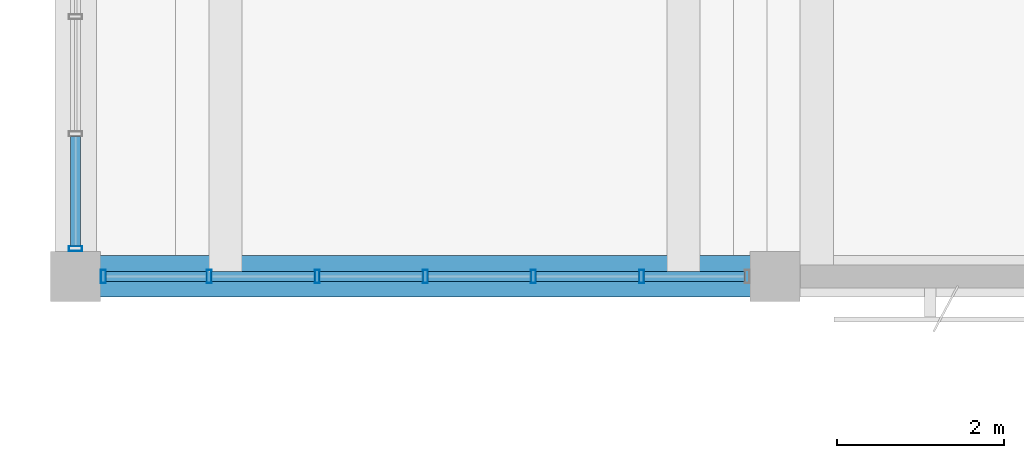
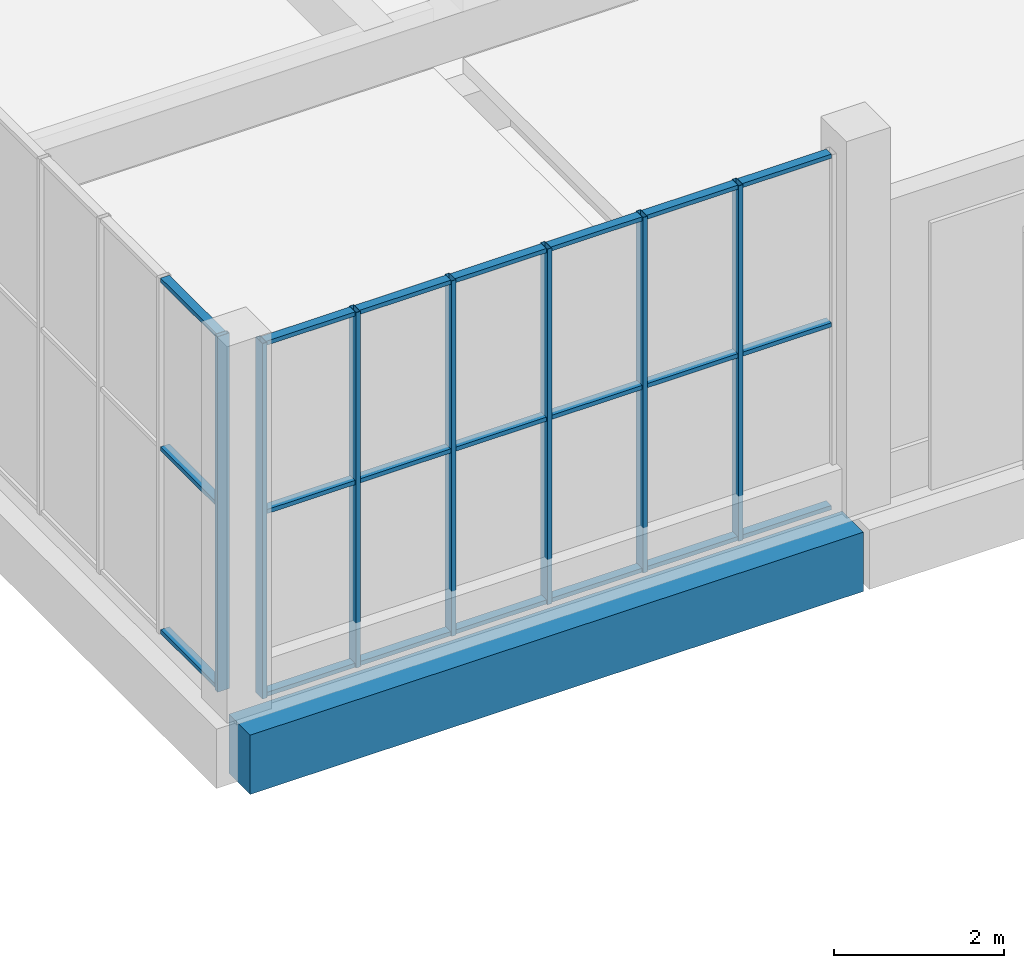
# One storey, part 18 of 132: 28 members, 1 beam, 2 elements without a shape of their own.
"""IFC4 building model written with IfcOpenShell, lengths in metres."""

from ifc_helpers import new_model, si_unit, direction, frame, origin, origin_2d, place, context, subcontext, project, spatial, rectangle, hollow_rectangle, extrude, material, material_profile, profile_set, type_object, element, aggregate, save


model = new_model("IFC4")

# Units and contexts
model_context = context("Model", 3, precision=1e-05, world=origin(), true_north=direction((0.0, 1.0)))
body_context = subcontext(model_context, "Body", "Model", "MODEL_VIEW")
ifc_project = project(units=[si_unit("LENGTHUNIT", "METRE"), si_unit("AREAUNIT", "SQUARE_METRE"), si_unit("VOLUMEUNIT", "CUBIC_METRE"), si_unit("PLANEANGLEUNIT", "RADIAN"), si_unit("MASSUNIT", "GRAM", prefix="KILO")], contexts=[model_context])

# Site, building, storey
site_placement = place(None, origin())
site = spatial("IfcSite", under=ifc_project, at=site_placement, CompositionType="ELEMENT")
building_placement = place(site_placement, origin())
building = spatial("IfcBuilding", under=site, at=building_placement, Name="Khurvash Pelagic Aquarium", CompositionType="ELEMENT")
storey_placement = place(building_placement, frame((0.0, 0.0, 5.39990234375)))
storey = spatial("IfcBuildingStorey", under=building, at=storey_placement, Name="L01", CompositionType="ELEMENT", Elevation=5.39990234375)

# Curtain wall, member
ifc_material_1 = material(Name="Anodised aluminium and low-E laminated glass", Category="aluminium")
curtain_wall_type_1 = type_object("IfcCurtainWallType", Name="CW-06", PredefinedType="USERDEFINED", material=ifc_material_1)
curtain_wall_1_placement = place(storey_placement, origin())
curtain_wall_1 = element("IfcCurtainWall", 1, at=curtain_wall_1_placement, inside=storey, type_object=curtain_wall_type_1, Name="L01 Facade Unitised Curtain Wall CW-06 0126", ObjectType="UNITISED CURTAIN WALL", PredefinedType="USERDEFINED")
ifc_material_2 = material(Name="Extruded aluminium AW-6063-T6", Category="aluminium")
ifc_material_profile_1 = material_profile(ifc_material_2, hollow_rectangle(XDim=0.06005859375, YDim=0.159912109375, WallThickness=0.00390625, at=origin_2d()), Name="CWM60X160X4")
ifc_profile_set_1 = profile_set([ifc_material_profile_1], Name="Extruded aluminium AW-6063-T6")
member_type_1 = type_object("IfcMemberType", Name="CM-02", PredefinedType="MULLION", material=ifc_profile_set_1)
member_1_placement = place(storey_placement, frame((0.0, 57.235107421875, 0.0), z_axis=(0.0, 0.0, 1.0), x_axis=(0.0, -1.0, 0.0)))
member_1 = element("IfcMember", 2, at=member_1_placement, type_object=member_type_1, Name="CW-06 mullion 7", PredefinedType="MULLION", context=body_context, shape_type="SweptSolid", body=[
    extrude(hollow_rectangle(XDim=0.06005859375, YDim=0.159912109375, WallThickness=0.00390625, at=origin_2d()), origin(), (0.0, 0.0, 1.0), 5.10009765625),
])

# Curtain wall, members
curtain_wall_type_2 = type_object("IfcCurtainWallType", Name="CW-05", PredefinedType="USERDEFINED", material=ifc_material_1)
curtain_wall_2_placement = place(storey_placement, origin())
curtain_wall_2 = element("IfcCurtainWall", 3, at=curtain_wall_2_placement, inside=storey, type_object=curtain_wall_type_2, Name="L01 Facade Unitised Curtain Wall CW-05 0127", ObjectType="UNITISED CURTAIN WALL", PredefinedType="USERDEFINED")
member_2_placement = place(storey_placement, frame((0.3349609375, 56.89990234375, 0.0), z_axis=(0.0, 0.0, 1.0), x_axis=(1.0, 0.0, 0.0)))
member_2 = element("IfcMember", 4, at=member_2_placement, type_object=member_type_1, Name="CW-05 mullion 1", PredefinedType="MULLION", context=body_context, shape_type="SweptSolid", body=[
    extrude(hollow_rectangle(XDim=0.06005859375, YDim=0.159912109375, WallThickness=0.00390625, at=origin_2d()), origin(), (0.0, 0.0, 1.0), 5.10009765625),
])
member_3_placement = place(storey_placement, frame((1.603271484375, 56.89990234375, 0.0), z_axis=(0.0, 0.0, 1.0), x_axis=(1.0, 0.0, 0.0)))
member_3 = element("IfcMember", 5, at=member_3_placement, type_object=member_type_1, Name="CW-05 mullion 2", PredefinedType="MULLION", context=body_context, shape_type="SweptSolid", body=[
    extrude(hollow_rectangle(XDim=0.06005859375, YDim=0.159912109375, WallThickness=0.00390625, at=origin_2d()), origin(), (0.0, 0.0, 1.0), 5.10009765625),
])
member_4_placement = place(storey_placement, frame((2.901611328125, 56.89990234375, 0.0), z_axis=(0.0, 0.0, 1.0), x_axis=(1.0, 0.0, 0.0)))
member_4 = element("IfcMember", 6, at=member_4_placement, type_object=member_type_1, Name="CW-05 mullion 3", PredefinedType="MULLION", context=body_context, shape_type="SweptSolid", body=[
    extrude(hollow_rectangle(XDim=0.06005859375, YDim=0.159912109375, WallThickness=0.00390625, at=origin_2d()), origin(), (0.0, 0.0, 1.0), 5.10009765625),
])
member_5_placement = place(storey_placement, frame((4.199951171875, 56.89990234375, 0.0), z_axis=(0.0, 0.0, 1.0), x_axis=(1.0, 0.0, 0.0)))
member_5 = element("IfcMember", 7, at=member_5_placement, type_object=member_type_1, Name="CW-05 mullion 4", PredefinedType="MULLION", context=body_context, shape_type="SweptSolid", body=[
    extrude(hollow_rectangle(XDim=0.06005859375, YDim=0.159912109375, WallThickness=0.00390625, at=origin_2d()), origin(), (0.0, 0.0, 1.0), 5.10009765625),
])
member_6_placement = place(storey_placement, frame((5.498291015625, 56.89990234375, 0.0), z_axis=(0.0, 0.0, 1.0), x_axis=(1.0, 0.0, 0.0)))
member_6 = element("IfcMember", 8, at=member_6_placement, type_object=member_type_1, Name="CW-05 mullion 5", PredefinedType="MULLION", context=body_context, shape_type="SweptSolid", body=[
    extrude(hollow_rectangle(XDim=0.06005859375, YDim=0.159912109375, WallThickness=0.00390625, at=origin_2d()), origin(), (0.0, 0.0, 1.0), 5.10009765625),
])
member_7_placement = place(storey_placement, frame((6.796630859375, 56.89990234375, 0.0), z_axis=(0.0, 0.0, 1.0), x_axis=(1.0, 0.0, 0.0)))
member_7 = element("IfcMember", 9, at=member_7_placement, type_object=member_type_1, Name="CW-05 mullion 6", PredefinedType="MULLION", context=body_context, shape_type="SweptSolid", body=[
    extrude(hollow_rectangle(XDim=0.06005859375, YDim=0.159912109375, WallThickness=0.00390625, at=origin_2d()), origin(), (0.0, 0.0, 1.0), 5.10009765625),
])

# Member
ifc_material_profile_2 = material_profile(ifc_material_2, hollow_rectangle(XDim=0.1201171875, YDim=0.06005859375, WallThickness=0.00390625, at=origin_2d()), Name="CWT120X60X4")
ifc_profile_set_2 = profile_set([ifc_material_profile_2], Name="Extruded aluminium AW-6063-T6")
member_type_2 = type_object("IfcMemberType", Name="CT-02", PredefinedType="USERDEFINED", material=ifc_profile_set_2)
member_8_placement = place(storey_placement, frame((0.0, 58.581787109375, 0.030029296875), z_axis=(0.0, -1.0, 0.0), x_axis=(1.0, 0.0, 0.0)))
member_8 = element("IfcMember", 10, at=member_8_placement, type_object=member_type_2, Name="CW-06 transom 6.1", ObjectType="TRANSOM", PredefinedType="USERDEFINED", context=body_context, shape_type="SweptSolid", body=[
    extrude(hollow_rectangle(XDim=0.1201171875, YDim=0.06005859375, WallThickness=0.00390625, at=origin_2d()), origin(), (0.0, 0.0, 1.0), 1.31689453125),
])

member_9_placement = place(storey_placement, frame((0.0, 58.581787109375, 2.652099609375), z_axis=(0.0, -1.0, 0.0), x_axis=(1.0, 0.0, 0.0)))
member_9 = element("IfcMember", 11, at=member_9_placement, type_object=member_type_2, Name="CW-06 transom 6.2", ObjectType="TRANSOM", PredefinedType="USERDEFINED", context=body_context, shape_type="SweptSolid", body=[
    extrude(hollow_rectangle(XDim=0.1201171875, YDim=0.06005859375, WallThickness=0.00390625, at=origin_2d()), origin(), (0.0, 0.0, 1.0), 1.31689453125),
])

member_10_placement = place(storey_placement, frame((0.0, 58.581787109375, 5.070068359375), z_axis=(0.0, -1.0, 0.0), x_axis=(1.0, 0.0, 0.0)))
member_10 = element("IfcMember", 12, at=member_10_placement, type_object=member_type_2, Name="CW-06 transom 6.3", ObjectType="TRANSOM", PredefinedType="USERDEFINED", context=body_context, shape_type="SweptSolid", body=[
    extrude(hollow_rectangle(XDim=0.1201171875, YDim=0.06005859375, WallThickness=0.00390625, at=origin_2d()), origin(), (0.0, 0.0, 1.0), 1.31689453125),
])

aggregate(curtain_wall_1, [member_1, member_8, member_9, member_10])

member_11_placement = place(storey_placement, frame((0.364990234375, 56.89990234375, 0.030029296875), z_axis=(1.0, 0.0, 0.0), x_axis=(0.0, 1.0, 0.0)))
member_11 = element("IfcMember", 13, at=member_11_placement, type_object=member_type_2, Name="CW-05 transom 1.1", ObjectType="TRANSOM", PredefinedType="USERDEFINED", context=body_context, shape_type="SweptSolid", body=[
    extrude(hollow_rectangle(XDim=0.1201171875, YDim=0.06005859375, WallThickness=0.00390625, at=origin_2d()), origin(), (0.0, 0.0, 1.0), 1.208251953125),
])

member_12_placement = place(storey_placement, frame((0.364990234375, 56.89990234375, 2.652099609375), z_axis=(1.0, 0.0, 0.0), x_axis=(0.0, 1.0, 0.0)))
member_12 = element("IfcMember", 14, at=member_12_placement, type_object=member_type_2, Name="CW-05 transom 1.2", ObjectType="TRANSOM", PredefinedType="USERDEFINED", context=body_context, shape_type="SweptSolid", body=[
    extrude(hollow_rectangle(XDim=0.1201171875, YDim=0.06005859375, WallThickness=0.00390625, at=origin_2d()), origin(), (0.0, 0.0, 1.0), 1.208251953125),
])

member_13_placement = place(storey_placement, frame((0.364990234375, 56.89990234375, 5.070068359375), z_axis=(1.0, 0.0, 0.0), x_axis=(0.0, 1.0, 0.0)))
member_13 = element("IfcMember", 15, at=member_13_placement, type_object=member_type_2, Name="CW-05 transom 1.3", ObjectType="TRANSOM", PredefinedType="USERDEFINED", context=body_context, shape_type="SweptSolid", body=[
    extrude(hollow_rectangle(XDim=0.1201171875, YDim=0.06005859375, WallThickness=0.00390625, at=origin_2d()), origin(), (0.0, 0.0, 1.0), 1.208251953125),
])

member_14_placement = place(storey_placement, frame((1.63330078125, 56.89990234375, 0.030029296875), z_axis=(1.0, 0.0, 0.0), x_axis=(0.0, 1.0, 0.0)))
member_14 = element("IfcMember", 16, at=member_14_placement, type_object=member_type_2, Name="CW-05 transom 2.1", ObjectType="TRANSOM", PredefinedType="USERDEFINED", context=body_context, shape_type="SweptSolid", body=[
    extrude(hollow_rectangle(XDim=0.1201171875, YDim=0.06005859375, WallThickness=0.00390625, at=origin_2d()), origin(), (0.0, 0.0, 1.0), 1.23828125),
])

member_15_placement = place(storey_placement, frame((1.63330078125, 56.89990234375, 2.652099609375), z_axis=(1.0, 0.0, 0.0), x_axis=(0.0, 1.0, 0.0)))
member_15 = element("IfcMember", 17, at=member_15_placement, type_object=member_type_2, Name="CW-05 transom 2.2", ObjectType="TRANSOM", PredefinedType="USERDEFINED", context=body_context, shape_type="SweptSolid", body=[
    extrude(hollow_rectangle(XDim=0.1201171875, YDim=0.06005859375, WallThickness=0.00390625, at=origin_2d()), origin(), (0.0, 0.0, 1.0), 1.23828125),
])

member_16_placement = place(storey_placement, frame((1.63330078125, 56.89990234375, 5.070068359375), z_axis=(1.0, 0.0, 0.0), x_axis=(0.0, 1.0, 0.0)))
member_16 = element("IfcMember", 18, at=member_16_placement, type_object=member_type_2, Name="CW-05 transom 2.3", ObjectType="TRANSOM", PredefinedType="USERDEFINED", context=body_context, shape_type="SweptSolid", body=[
    extrude(hollow_rectangle(XDim=0.1201171875, YDim=0.06005859375, WallThickness=0.00390625, at=origin_2d()), origin(), (0.0, 0.0, 1.0), 1.23828125),
])

member_17_placement = place(storey_placement, frame((2.931640625, 56.89990234375, 0.030029296875), z_axis=(1.0, 0.0, 0.0), x_axis=(0.0, 1.0, 0.0)))
member_17 = element("IfcMember", 19, at=member_17_placement, type_object=member_type_2, Name="CW-05 transom 3.1", ObjectType="TRANSOM", PredefinedType="USERDEFINED", context=body_context, shape_type="SweptSolid", body=[
    extrude(hollow_rectangle(XDim=0.1201171875, YDim=0.06005859375, WallThickness=0.00390625, at=origin_2d()), origin(), (0.0, 0.0, 1.0), 1.23828125),
])

member_18_placement = place(storey_placement, frame((2.931640625, 56.89990234375, 2.652099609375), z_axis=(1.0, 0.0, 0.0), x_axis=(0.0, 1.0, 0.0)))
member_18 = element("IfcMember", 20, at=member_18_placement, type_object=member_type_2, Name="CW-05 transom 3.2", ObjectType="TRANSOM", PredefinedType="USERDEFINED", context=body_context, shape_type="SweptSolid", body=[
    extrude(hollow_rectangle(XDim=0.1201171875, YDim=0.06005859375, WallThickness=0.00390625, at=origin_2d()), origin(), (0.0, 0.0, 1.0), 1.23828125),
])

member_19_placement = place(storey_placement, frame((2.931640625, 56.89990234375, 5.070068359375), z_axis=(1.0, 0.0, 0.0), x_axis=(0.0, 1.0, 0.0)))
member_19 = element("IfcMember", 21, at=member_19_placement, type_object=member_type_2, Name="CW-05 transom 3.3", ObjectType="TRANSOM", PredefinedType="USERDEFINED", context=body_context, shape_type="SweptSolid", body=[
    extrude(hollow_rectangle(XDim=0.1201171875, YDim=0.06005859375, WallThickness=0.00390625, at=origin_2d()), origin(), (0.0, 0.0, 1.0), 1.23828125),
])

member_20_placement = place(storey_placement, frame((4.22998046875, 56.89990234375, 0.030029296875), z_axis=(1.0, 0.0, 0.0), x_axis=(0.0, 1.0, 0.0)))
member_20 = element("IfcMember", 22, at=member_20_placement, type_object=member_type_2, Name="CW-05 transom 4.1", ObjectType="TRANSOM", PredefinedType="USERDEFINED", context=body_context, shape_type="SweptSolid", body=[
    extrude(hollow_rectangle(XDim=0.1201171875, YDim=0.06005859375, WallThickness=0.00390625, at=origin_2d()), origin(), (0.0, 0.0, 1.0), 1.23828125),
])

member_21_placement = place(storey_placement, frame((4.22998046875, 56.89990234375, 2.652099609375), z_axis=(1.0, 0.0, 0.0), x_axis=(0.0, 1.0, 0.0)))
member_21 = element("IfcMember", 23, at=member_21_placement, type_object=member_type_2, Name="CW-05 transom 4.2", ObjectType="TRANSOM", PredefinedType="USERDEFINED", context=body_context, shape_type="SweptSolid", body=[
    extrude(hollow_rectangle(XDim=0.1201171875, YDim=0.06005859375, WallThickness=0.00390625, at=origin_2d()), origin(), (0.0, 0.0, 1.0), 1.23828125),
])

member_22_placement = place(storey_placement, frame((4.22998046875, 56.89990234375, 5.070068359375), z_axis=(1.0, 0.0, 0.0), x_axis=(0.0, 1.0, 0.0)))
member_22 = element("IfcMember", 24, at=member_22_placement, type_object=member_type_2, Name="CW-05 transom 4.3", ObjectType="TRANSOM", PredefinedType="USERDEFINED", context=body_context, shape_type="SweptSolid", body=[
    extrude(hollow_rectangle(XDim=0.1201171875, YDim=0.06005859375, WallThickness=0.00390625, at=origin_2d()), origin(), (0.0, 0.0, 1.0), 1.23828125),
])

member_23_placement = place(storey_placement, frame((5.5283203125, 56.89990234375, 0.030029296875), z_axis=(1.0, 0.0, 0.0), x_axis=(0.0, 1.0, 0.0)))
member_23 = element("IfcMember", 25, at=member_23_placement, type_object=member_type_2, Name="CW-05 transom 5.1", ObjectType="TRANSOM", PredefinedType="USERDEFINED", context=body_context, shape_type="SweptSolid", body=[
    extrude(hollow_rectangle(XDim=0.1201171875, YDim=0.06005859375, WallThickness=0.00390625, at=origin_2d()), origin(), (0.0, 0.0, 1.0), 1.23828125),
])

member_24_placement = place(storey_placement, frame((5.5283203125, 56.89990234375, 2.652099609375), z_axis=(1.0, 0.0, 0.0), x_axis=(0.0, 1.0, 0.0)))
member_24 = element("IfcMember", 26, at=member_24_placement, type_object=member_type_2, Name="CW-05 transom 5.2", ObjectType="TRANSOM", PredefinedType="USERDEFINED", context=body_context, shape_type="SweptSolid", body=[
    extrude(hollow_rectangle(XDim=0.1201171875, YDim=0.06005859375, WallThickness=0.00390625, at=origin_2d()), origin(), (0.0, 0.0, 1.0), 1.23828125),
])

member_25_placement = place(storey_placement, frame((5.5283203125, 56.89990234375, 5.070068359375), z_axis=(1.0, 0.0, 0.0), x_axis=(0.0, 1.0, 0.0)))
member_25 = element("IfcMember", 27, at=member_25_placement, type_object=member_type_2, Name="CW-05 transom 5.3", ObjectType="TRANSOM", PredefinedType="USERDEFINED", context=body_context, shape_type="SweptSolid", body=[
    extrude(hollow_rectangle(XDim=0.1201171875, YDim=0.06005859375, WallThickness=0.00390625, at=origin_2d()), origin(), (0.0, 0.0, 1.0), 1.23828125),
])

member_26_placement = place(storey_placement, frame((6.82666015625, 56.89990234375, 0.030029296875), z_axis=(1.0, 0.0, 0.0), x_axis=(0.0, 1.0, 0.0)))
member_26 = element("IfcMember", 28, at=member_26_placement, type_object=member_type_2, Name="CW-05 transom 6.1", ObjectType="TRANSOM", PredefinedType="USERDEFINED", context=body_context, shape_type="SweptSolid", body=[
    extrude(hollow_rectangle(XDim=0.1201171875, YDim=0.06005859375, WallThickness=0.00390625, at=origin_2d()), origin(), (0.0, 0.0, 1.0), 1.208251953125),
])

member_27_placement = place(storey_placement, frame((6.82666015625, 56.89990234375, 2.652099609375), z_axis=(1.0, 0.0, 0.0), x_axis=(0.0, 1.0, 0.0)))
member_27 = element("IfcMember", 29, at=member_27_placement, type_object=member_type_2, Name="CW-05 transom 6.2", ObjectType="TRANSOM", PredefinedType="USERDEFINED", context=body_context, shape_type="SweptSolid", body=[
    extrude(hollow_rectangle(XDim=0.1201171875, YDim=0.06005859375, WallThickness=0.00390625, at=origin_2d()), origin(), (0.0, 0.0, 1.0), 1.208251953125),
])

member_28_placement = place(storey_placement, frame((6.82666015625, 56.89990234375, 5.070068359375), z_axis=(1.0, 0.0, 0.0), x_axis=(0.0, 1.0, 0.0)))
member_28 = element("IfcMember", 30, at=member_28_placement, type_object=member_type_2, Name="CW-05 transom 6.3", ObjectType="TRANSOM", PredefinedType="USERDEFINED", context=body_context, shape_type="SweptSolid", body=[
    extrude(hollow_rectangle(XDim=0.1201171875, YDim=0.06005859375, WallThickness=0.00390625, at=origin_2d()), origin(), (0.0, 0.0, 1.0), 1.208251953125),
])

aggregate(curtain_wall_2, [member_2, member_3, member_4, member_5, member_6, member_7, member_11, member_12, member_13, member_14, member_15, member_16, member_17, member_18, member_19, member_20, member_21, member_22, member_23, member_24, member_25, member_26, member_27, member_28])

# Beam
ifc_material_3 = material(Name="Concrete C40/50", Category="concrete")
ifc_material_profile_3 = material_profile(ifc_material_3, rectangle(XDim=0.5, YDim=0.85009765625, at=origin_2d()), Name="RC500X850")
ifc_profile_set_3 = profile_set([ifc_material_profile_3], Name="Concrete C40/50")
beam_type = type_object("IfcBeamType", Name="SEB-03", PredefinedType="SPANDREL", material=ifc_profile_set_3)
beam_placement = place(storey_placement, frame((0.0400390625, 56.89990234375, -0.744873046875), z_axis=(1.0, 0.0, 0.0), x_axis=(0.0, 1.0, 0.0)))
element("IfcBeam", 31, at=beam_placement, inside=storey, type_object=beam_type, Name="L01 Primary Girder SEB-03 00293", PredefinedType="SPANDREL", context=body_context, shape_type="SweptSolid", body=[
    extrude(rectangle(XDim=0.5, YDim=0.85009765625, at=origin_2d()), origin(), (0.0, 0.0, 1.0), 8.320068359375),
])

save(model, "model.ifc")
